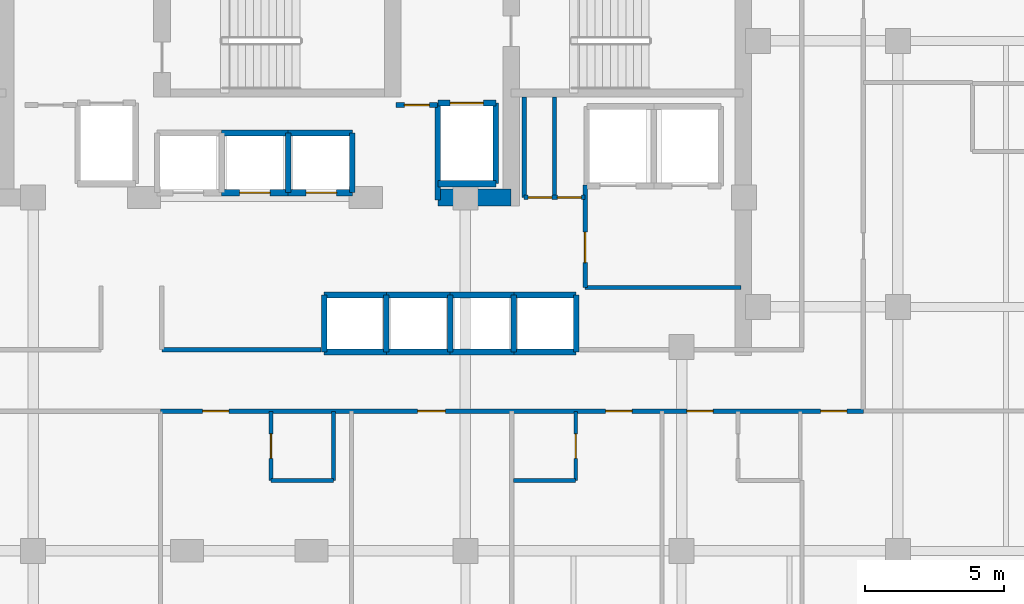
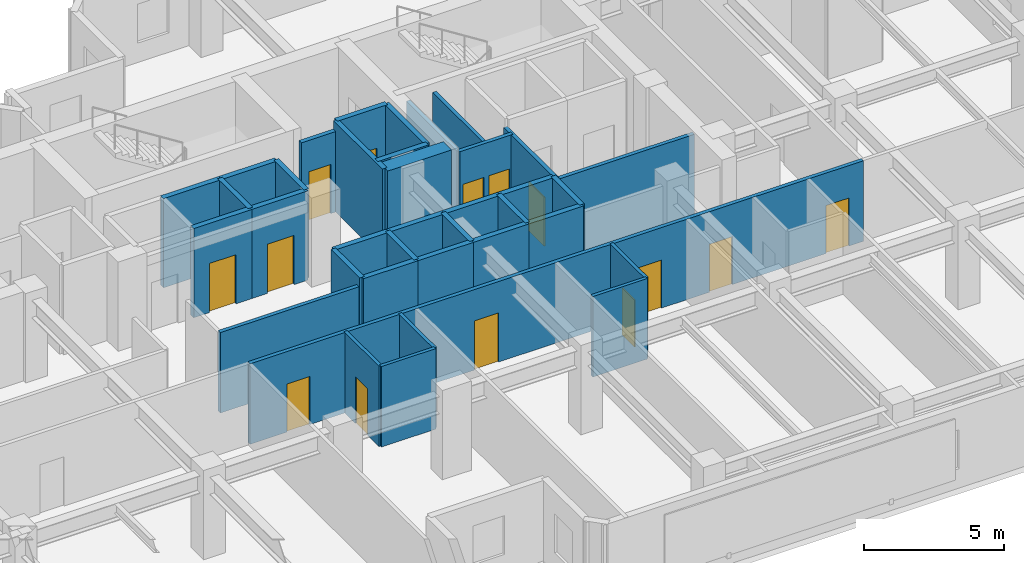
# One storey, part 6 of 10: 37 walls, 14 doors, 14 openings.
"""IFC4 building model written with IfcOpenShell, lengths in metres."""

from ifc_helpers import new_model, si_unit, direction, frame, frame_2d, origin, place, context, subcontext, project, spatial, rectangle, extrude, material, layer, layer_set, type_object, element, fill, save


model = new_model("IFC4")

# Units and contexts
model_context = context("Model", 3, precision=1e-05, world=origin(), true_north=direction((0.0, 1.0)))
body_context = subcontext(model_context, "Body", "Model", "MODEL_VIEW")
ifc_project = project(units=[si_unit("LENGTHUNIT", "METRE"), si_unit("AREAUNIT", "SQUARE_METRE"), si_unit("VOLUMEUNIT", "CUBIC_METRE"), si_unit("PLANEANGLEUNIT", "RADIAN"), si_unit("MASSUNIT", "GRAM", prefix="KILO")], contexts=[model_context])

# Site, building, storey
site_placement = place(None, origin())
site = spatial("IfcSite", under=ifc_project, at=site_placement, CompositionType="ELEMENT")
building_placement = place(site_placement, origin())
building = spatial("IfcBuilding", under=site, at=building_placement, Name="Kestravale Grand Hotel", CompositionType="ELEMENT")
storey_placement = place(building_placement, frame((0.0, 0.0, 236.5)))
storey = spatial("IfcBuildingStorey", under=building, at=storey_placement, Name="L59", CompositionType="ELEMENT", Elevation=236.5)

# Wall
ifc_material_1 = material(Name="Concrete f'c 50 MPa", Category="concrete")
ifc_layer_1 = layer(ifc_material_1, 0.60009765625)
ifc_layer_set_1 = layer_set([ifc_layer_1], Name="EW-CORE-600")
wall_type_1 = type_object("IfcWallType", Name="EW-CORE-600", PredefinedType="SHEAR", material=ifc_layer_set_1)
wall_1_placement = place(storey_placement, frame((45.81005859375, 32.75, 0.0), z_axis=(0.0, 0.0, 1.0), x_axis=(1.0, 0.0, 0.0)))
element("IfcWall", 1, at=wall_1_placement, inside=storey, type_object=wall_type_1, Name="L59 core shear wall S2", PredefinedType="SHEAR", context=body_context, shape_type="SweptSolid", body=[
    extrude(rectangle(XDim=2.639892578125, YDim=0.60009765625, at=frame_2d((1.31982421875, 0.0))), origin(), (0.0, 0.0, 1.0), 3.89990234375),
])

# Wall, opening, door
ifc_material_2 = material(Name="Acoustic fire-rated gypsum board partition", Category="other")
ifc_layer_2 = layer(ifc_material_2, 0.159912109375)
ifc_layer_set_2 = layer_set([ifc_layer_2], Name="IW-CORR-160")
wall_type_2 = type_object("IfcWallType", Name="IW-CORR-160", PredefinedType="PARTITIONING", material=ifc_layer_set_2)
wall_2_placement = place(storey_placement, frame((51.1201171875, 29.5, 0.0), z_axis=(0.0, 0.0, 1.0), x_axis=(0.0, 1.0, 0.0)))
wall_2 = element("IfcWall", 2, at=wall_2_placement, inside=storey, type_object=wall_type_2, Name="W-L59-SVCLOB-W", PredefinedType="PARTITIONING", context=body_context, shape_type="SweptSolid", body=[
    extrude(rectangle(XDim=3.699951171875, YDim=0.159912109375, at=frame_2d((1.85009765625, 0.0))), origin(), (0.0, 0.0, 1.0), 3.52001953125),
])
opening_1_placement = place(wall_2_placement, frame((0.89990234375, 0.0, 0.0)))
opening_1 = element("IfcOpeningElement", 3, at=opening_1_placement, cuts=wall_2, Name="Opening D-CORR-1100", PredefinedType="OPENING", context=body_context, shape_type="SweptSolid", body=[
    extrude(rectangle(XDim=1.10009765625, YDim=2.14990234375, at=frame_2d((0.550048828125, 1.074951171875))), frame((0.0, 0.08984375, 0.0), z_axis=(0.0, -1.0, 0.0), x_axis=(1.0, 0.0, 0.0)), (0.0, 0.0, 1.0), 0.179931640625),
])
ifc_material_3 = material(Name="Single-leaf service vestibule fire door", Category="steel")
door_type_1 = type_object("IfcDoorType", Name="D-CORR-1100", OperationType="NOTDEFINED", PredefinedType="DOOR", material=ifc_material_3)
door_1_placement = place(opening_1_placement, origin())
door_1 = element("IfcDoor", 4, at=door_1_placement, inside=storey, type_object=door_type_1, Name="L59 service lift lobby door", OperationType="SINGLE_SWING_LEFT", OverallHeight=2.14990234375, OverallWidth=1.10009765625, PredefinedType="DOOR", context=body_context, shape_type="SweptSolid", body=[
    extrude(rectangle(XDim=1.10009765625, YDim=2.14990234375, at=frame_2d((0.550048828125, 1.074951171875))), frame((0.0, 0.02490234375, 0.0), z_axis=(0.0, -1.0, 0.0), x_axis=(1.0, 0.0, 0.0)), (0.0, 0.0, 1.0), 0.050048828125),
])
fill(opening_1, door_1)

# Wall
wall_3_placement = place(storey_placement, frame((51.1201171875, 29.5, 0.0), z_axis=(0.0, 0.0, 1.0), x_axis=(1.0, 0.0, 0.0)))
element("IfcWall", 5, at=wall_3_placement, inside=storey, type_object=wall_type_2, Name="L59 service lift lobby wall", PredefinedType="PARTITIONING", context=body_context, shape_type="SweptSolid", body=[
    extrude(rectangle(XDim=5.6298828125, YDim=0.159912109375, at=frame_2d((2.81494140625, 0.0))), origin(), (0.0, 0.0, 1.0), 3.52001953125),
])

# Wall, openings, doors
wall_4_placement = place(storey_placement, frame((48.919921875, 32.75, 0.0), z_axis=(0.0, 0.0, 1.0), x_axis=(1.0, 0.0, 0.0)))
wall_4 = element("IfcWall", 6, at=wall_4_placement, inside=storey, type_object=wall_type_2, Name="W-L59-CES", PredefinedType="PARTITIONING", context=body_context, shape_type="SweptSolid", body=[
    extrude(rectangle(XDim=2.2001953125, YDim=0.159912109375, at=frame_2d((1.10009765625, 0.0))), origin(), (0.0, 0.0, 1.0), 3.52001953125),
])
opening_2_placement = place(wall_4_placement, frame((0.139892578125, 0.0, 0.0)))
opening_2 = element("IfcOpeningElement", 7, at=opening_2_placement, cuts=wall_4, Name="Opening D-SH-860", PredefinedType="OPENING", context=body_context, shape_type="SweptSolid", body=[
    extrude(rectangle(XDim=0.860107421875, YDim=2.050048828125, at=frame_2d((0.43017578125, 1.02490234375))), frame((0.0, 0.08984375, 0.0), z_axis=(0.0, -1.0, 0.0), x_axis=(1.0, 0.0, 0.0)), (0.0, 0.0, 1.0), 0.179931640625),
])
opening_3_placement = place(wall_4_placement, frame((1.199951171875, 0.0, 0.0)))
opening_3 = element("IfcOpeningElement", 8, at=opening_3_placement, cuts=wall_4, Name="Opening D-SH-860", PredefinedType="OPENING", context=body_context, shape_type="SweptSolid", body=[
    extrude(rectangle(XDim=0.860107421875, YDim=2.050048828125, at=frame_2d((0.43017578125, 1.02490234375))), frame((0.0, 0.08984375, 0.0), z_axis=(0.0, -1.0, 0.0), x_axis=(1.0, 0.0, 0.0)), (0.0, 0.0, 1.0), 0.179931640625),
])
ifc_material_4 = material(Name="Galvanised 90-minute riser fire door", Category="steel")
door_type_2 = type_object("IfcDoorType", Name="D-SH-860", OperationType="NOTDEFINED", PredefinedType="DOOR", material=ifc_material_4)
door_2_placement = place(opening_2_placement, origin())
door_2 = element("IfcDoor", 9, at=door_2_placement, inside=storey, type_object=door_type_2, Name="L59 CSTO1 door", OperationType="SINGLE_SWING_LEFT", OverallHeight=2.050048828125, OverallWidth=0.860107421875, PredefinedType="DOOR", context=body_context, shape_type="SweptSolid", body=[
    extrude(rectangle(XDim=0.860107421875, YDim=2.050048828125, at=frame_2d((0.43017578125, 1.02490234375))), frame((0.0, 0.02490234375, 0.0), z_axis=(0.0, -1.0, 0.0), x_axis=(1.0, 0.0, 0.0)), (0.0, 0.0, 1.0), 0.050048828125),
])
fill(opening_2, door_2)
door_3_placement = place(opening_3_placement, origin())
door_3 = element("IfcDoor", 10, at=door_3_placement, inside=storey, type_object=door_type_2, Name="L59 CSTO2 door", OperationType="SINGLE_SWING_RIGHT", OverallHeight=2.050048828125, OverallWidth=0.860107421875, PredefinedType="DOOR", context=body_context, shape_type="SweptSolid", body=[
    extrude(rectangle(XDim=0.860107421875, YDim=2.050048828125, at=frame_2d((0.43017578125, 1.02490234375))), frame((0.0, 0.02490234375, 0.0), z_axis=(0.0, -1.0, 0.0), x_axis=(1.0, 0.0, 0.0)), (0.0, 0.0, 1.0), 0.050048828125),
])
fill(opening_3, door_3)

# Wall
wall_5_placement = place(storey_placement, frame((35.85009765625, 27.260009765625, 0.0), z_axis=(0.0, 0.0, 1.0), x_axis=(1.0, 0.0, 0.0)))
element("IfcWall", 11, at=wall_5_placement, inside=storey, type_object=wall_type_2, Name="W-L59-CE-N", PredefinedType="PARTITIONING", context=body_context, shape_type="SweptSolid", body=[
    extrude(rectangle(XDim=5.72998046875, YDim=0.159912109375, at=frame_2d((2.864990234375, 0.0))), origin(), (0.0, 0.0, 1.0), 3.52001953125),
])

# Wall, openings, doors
wall_6_placement = place(storey_placement, frame((35.800048828125, 25.0400390625, 0.0), z_axis=(0.0, 0.0, 1.0), x_axis=(1.0, 0.0, 0.0)))
wall_6 = element("IfcWall", 12, at=wall_6_placement, inside=storey, type_object=wall_type_2, Name="W-L59-CE-S", PredefinedType="PARTITIONING", context=body_context, shape_type="SweptSolid", body=[
    extrude(rectangle(XDim=25.35986328125, YDim=0.159912109375, at=frame_2d((12.679931640625, 0.0))), origin(), (0.0, 0.0, 1.0), 3.52001953125),
])
opening_4_placement = place(wall_6_placement, frame((1.517578125, 0.0, 0.0)))
opening_4 = element("IfcOpeningElement", 13, at=opening_4_placement, cuts=wall_6, Name="Opening D-GUEST-950", PredefinedType="OPENING", context=body_context, shape_type="SweptSolid", body=[
    extrude(rectangle(XDim=0.949951171875, YDim=2.10009765625, at=frame_2d((0.47509765625, 1.050048828125))), frame((0.0, 0.08984375, 0.0), z_axis=(0.0, -1.0, 0.0), x_axis=(1.0, 0.0, 0.0)), (0.0, 0.0, 1.0), 0.179931640625),
])
opening_5_placement = place(wall_6_placement, frame((9.277587890625, 0.0, 0.0)))
opening_5 = element("IfcOpeningElement", 14, at=opening_5_placement, cuts=wall_6, Name="Opening D-GUEST-1000", PredefinedType="OPENING", context=body_context, shape_type="SweptSolid", body=[
    extrude(rectangle(XDim=1.0, YDim=2.14990234375, at=frame_2d((0.5, 1.074951171875))), frame((0.0, 0.08984375, 0.0), z_axis=(0.0, -1.0, 0.0), x_axis=(1.0, 0.0, 0.0)), (0.0, 0.0, 1.0), 0.179931640625),
])
opening_6_placement = place(wall_6_placement, frame((16.06005859375, 0.0, 0.0)))
opening_6 = element("IfcOpeningElement", 15, at=opening_6_placement, cuts=wall_6, Name="Opening D-GUEST-950", PredefinedType="OPENING", context=body_context, shape_type="SweptSolid", body=[
    extrude(rectangle(XDim=0.949951171875, YDim=2.10009765625, at=frame_2d((0.47509765625, 1.050048828125))), frame((0.0, 0.08984375, 0.0), z_axis=(0.0, -1.0, 0.0), x_axis=(1.0, 0.0, 0.0)), (0.0, 0.0, 1.0), 0.179931640625),
])
opening_7_placement = place(wall_6_placement, frame((18.985107421875, 0.0, 0.0)))
opening_7 = element("IfcOpeningElement", 16, at=opening_7_placement, cuts=wall_6, Name="Opening D-GUEST-950", PredefinedType="OPENING", context=body_context, shape_type="SweptSolid", body=[
    extrude(rectangle(XDim=0.949951171875, YDim=2.10009765625, at=frame_2d((0.47509765625, 1.050048828125))), frame((0.0, 0.08984375, 0.0), z_axis=(0.0, -1.0, 0.0), x_axis=(1.0, 0.0, 0.0)), (0.0, 0.0, 1.0), 0.179931640625),
])
opening_8_placement = place(wall_6_placement, frame((23.81494140625, 0.0, 0.0)))
opening_8 = element("IfcOpeningElement", 17, at=opening_8_placement, cuts=wall_6, Name="Opening D-GUEST-950", PredefinedType="OPENING", context=body_context, shape_type="SweptSolid", body=[
    extrude(rectangle(XDim=0.949951171875, YDim=2.10009765625, at=frame_2d((0.47509765625, 1.050048828125))), frame((0.0, 0.08984375, 0.0), z_axis=(0.0, -1.0, 0.0), x_axis=(1.0, 0.0, 0.0)), (0.0, 0.0, 1.0), 0.179931640625),
])
ifc_material_5 = material(Name="Accessible walnut veneer hotel entrance fire door", Category="wood")
door_type_3 = type_object("IfcDoorType", Name="D-GUEST-1000", OperationType="NOTDEFINED", PredefinedType="DOOR", material=ifc_material_5)
door_4_placement = place(opening_5_placement, origin())
door_4 = element("IfcDoor", 18, at=door_4_placement, inside=storey, type_object=door_type_3, Name="D-L59-AME", OperationType="SINGLE_SWING_LEFT", OverallHeight=2.14990234375, OverallWidth=1.0, PredefinedType="DOOR", context=body_context, shape_type="SweptSolid", body=[
    extrude(rectangle(XDim=1.0, YDim=2.14990234375, at=frame_2d((0.5, 1.074951171875))), frame((0.0, 0.02490234375, 0.0), z_axis=(0.0, -1.0, 0.0), x_axis=(1.0, 0.0, 0.0)), (0.0, 0.0, 1.0), 0.050048828125),
])
fill(opening_5, door_4)
ifc_material_6 = material(Name="Walnut veneer hotel guestroom entrance fire door", Category="wood")
door_type_4 = type_object("IfcDoorType", Name="D-GUEST-950", OperationType="NOTDEFINED", PredefinedType="DOOR", material=ifc_material_6)
door_5_placement = place(opening_4_placement, origin())
door_5 = element("IfcDoor", 19, at=door_5_placement, inside=storey, type_object=door_type_4, Name="D-L59-U01-ENT", OperationType="SINGLE_SWING_RIGHT", OverallHeight=2.10009765625, OverallWidth=0.949951171875, PredefinedType="DOOR", context=body_context, shape_type="SweptSolid", body=[
    extrude(rectangle(XDim=0.949951171875, YDim=2.10009765625, at=frame_2d((0.47509765625, 1.050048828125))), frame((0.0, 0.02490234375, 0.0), z_axis=(0.0, -1.0, 0.0), x_axis=(1.0, 0.0, 0.0)), (0.0, 0.0, 1.0), 0.050048828125),
])
fill(opening_4, door_5)
door_6_placement = place(opening_6_placement, origin())
door_6 = element("IfcDoor", 20, at=door_6_placement, inside=storey, type_object=door_type_4, Name="D-L59-U02-ENT", OperationType="SINGLE_SWING_LEFT", OverallHeight=2.10009765625, OverallWidth=0.949951171875, PredefinedType="DOOR", context=body_context, shape_type="SweptSolid", body=[
    extrude(rectangle(XDim=0.949951171875, YDim=2.10009765625, at=frame_2d((0.47509765625, 1.050048828125))), frame((0.0, 0.02490234375, 0.0), z_axis=(0.0, -1.0, 0.0), x_axis=(1.0, 0.0, 0.0)), (0.0, 0.0, 1.0), 0.050048828125),
])
fill(opening_6, door_6)
door_7_placement = place(opening_7_placement, origin())
door_7 = element("IfcDoor", 21, at=door_7_placement, inside=storey, type_object=door_type_4, Name="D-L59-U03-ENT", OperationType="SINGLE_SWING_LEFT", OverallHeight=2.10009765625, OverallWidth=0.949951171875, PredefinedType="DOOR", context=body_context, shape_type="SweptSolid", body=[
    extrude(rectangle(XDim=0.949951171875, YDim=2.10009765625, at=frame_2d((0.47509765625, 1.050048828125))), frame((0.0, 0.02490234375, 0.0), z_axis=(0.0, -1.0, 0.0), x_axis=(1.0, 0.0, 0.0)), (0.0, 0.0, 1.0), 0.050048828125),
])
fill(opening_7, door_7)
door_8_placement = place(opening_8_placement, origin())
door_8 = element("IfcDoor", 22, at=door_8_placement, inside=storey, type_object=door_type_4, Name="D-L59-U08-ENT", OperationType="SINGLE_SWING_RIGHT", OverallHeight=2.10009765625, OverallWidth=0.949951171875, PredefinedType="DOOR", context=body_context, shape_type="SweptSolid", body=[
    extrude(rectangle(XDim=0.949951171875, YDim=2.10009765625, at=frame_2d((0.47509765625, 1.050048828125))), frame((0.0, 0.02490234375, 0.0), z_axis=(0.0, -1.0, 0.0), x_axis=(1.0, 0.0, 0.0)), (0.0, 0.0, 1.0), 0.050048828125),
])
fill(opening_8, door_8)

# Wall, opening, door
ifc_material_7 = material(Name="Fire-rated gypsum board on steel studs with mineral wool", Category="steel")
ifc_layer_3 = layer(ifc_material_7, 0.179931640625)
ifc_layer_set_3 = layer_set([ifc_layer_3], Name="IW-FSAE-180")
wall_type_3 = type_object("IfcWallType", Name="IW-FSAE-180", PredefinedType="PARTITIONING", material=ifc_layer_set_3)
wall_7_placement = place(storey_placement, frame((44.300048828125, 36.080078125, 0.0), z_axis=(0.0, 0.0, 1.0), x_axis=(1.0, 0.0, 0.0)))
wall_7 = element("IfcWall", 23, at=wall_7_placement, inside=storey, type_object=wall_type_3, Name="L59 FSAE Lobby 2 smoke barrier", PredefinedType="PARTITIONING", context=body_context, shape_type="SweptSolid", body=[
    extrude(rectangle(XDim=1.5, YDim=0.179931640625, at=frame_2d((0.75, 0.0))), origin(), (0.0, 0.0, 1.0), 3.52001953125),
])
opening_9_placement = place(wall_7_placement, frame((0.300048828125, 0.0, 0.0)))
opening_9 = element("IfcOpeningElement", 24, at=opening_9_placement, cuts=wall_7, Name="Opening D-FSAE-1000", PredefinedType="OPENING", context=body_context, shape_type="SweptSolid", body=[
    extrude(rectangle(XDim=0.89990234375, YDim=2.14990234375, at=frame_2d((0.449951171875, 1.074951171875))), frame((0.0, 0.099853515625, 0.0), z_axis=(0.0, -1.0, 0.0), x_axis=(1.0, 0.0, 0.0)), (0.0, 0.0, 1.0), 0.199951171875),
])
ifc_material_8 = material(Name="Smoke-gasketed FSAE lobby fire door", Category="steel")
door_type_5 = type_object("IfcDoorType", Name="D-FSAE-1000", OperationType="NOTDEFINED", PredefinedType="DOOR", material=ifc_material_8)
door_9_placement = place(opening_9_placement, origin())
door_9 = element("IfcDoor", 25, at=door_9_placement, inside=storey, type_object=door_type_5, Name="L59 FSAE Lobby 2 fire door", OperationType="SINGLE_SWING_LEFT", OverallHeight=2.14990234375, OverallWidth=0.89990234375, PredefinedType="DOOR", context=body_context, shape_type="SweptSolid", body=[
    extrude(rectangle(XDim=0.89990234375, YDim=2.14990234375, at=frame_2d((0.449951171875, 1.074951171875))), frame((0.0, 0.02490234375, 0.0), z_axis=(0.0, -1.0, 0.0), x_axis=(1.0, 0.0, 0.0)), (0.0, 0.0, 1.0), 0.050048828125),
])
fill(opening_9, door_9)

ifc_material_9 = material(Name="Moisture-resistant tile-backer plumbing chase wall", Category="other")
ifc_layer_4 = layer(ifc_material_9, 0.139892578125)
ifc_layer_set_4 = layer_set([ifc_layer_4], Name="IW-PLB-140")
wall_type_4 = type_object("IfcWallType", Name="IW-PLB-140", PredefinedType="PLUMBINGWALL", material=ifc_layer_set_4)
wall_8_placement = place(storey_placement, frame((39.784912109375, 22.530029296875, 0.0), z_axis=(0.0, 0.0, 1.0), x_axis=(0.0, 1.0, 0.0)))
wall_8 = element("IfcWall", 26, at=wall_8_placement, inside=storey, type_object=wall_type_4, Name="W-L59-U01-BW", PredefinedType="PLUMBINGWALL", context=body_context, shape_type="SweptSolid", body=[
    extrude(rectangle(XDim=2.489990234375, YDim=0.139892578125, at=frame_2d((1.2451171875, 0.0))), origin(), (0.0, 0.0, 1.0), 3.52001953125),
])
opening_10_placement = place(wall_8_placement, frame((0.804931640625, 0.0, 0.0)))
opening_10 = element("IfcOpeningElement", 27, at=opening_10_placement, cuts=wall_8, Name="Opening D-BATH-880", PredefinedType="OPENING", context=body_context, shape_type="SweptSolid", body=[
    extrude(rectangle(XDim=0.8798828125, YDim=2.050048828125, at=frame_2d((0.43994140625, 1.02490234375))), frame((0.0, 0.079833984375, 0.0), z_axis=(0.0, -1.0, 0.0), x_axis=(1.0, 0.0, 0.0)), (0.0, 0.0, 1.0), 0.159912109375),
])
ifc_material_10 = material(Name="Moisture-sealed walnut en-suite bathroom door", Category="wood")
door_type_6 = type_object("IfcDoorType", Name="D-BATH-880", OperationType="NOTDEFINED", PredefinedType="DOOR", material=ifc_material_10)
door_10_placement = place(opening_10_placement, origin())
door_10 = element("IfcDoor", 28, at=door_10_placement, inside=storey, type_object=door_type_6, Name="D-L59-U01-BATH", OperationType="SINGLE_SWING_LEFT", OverallHeight=2.050048828125, OverallWidth=0.8798828125, PredefinedType="DOOR", context=body_context, shape_type="SweptSolid", body=[
    extrude(rectangle(XDim=0.8798828125, YDim=2.050048828125, at=frame_2d((0.43994140625, 1.02490234375))), frame((0.0, 0.02490234375, 0.0), z_axis=(0.0, -1.0, 0.0), x_axis=(1.0, 0.0, 0.0)), (0.0, 0.0, 1.0), 0.050048828125),
])
fill(opening_10, door_10)

# Walls
wall_9_placement = place(storey_placement, frame((42.034912109375, 22.530029296875, 0.0), z_axis=(0.0, 0.0, 1.0), x_axis=(0.0, 1.0, 0.0)))
element("IfcWall", 29, at=wall_9_placement, inside=storey, type_object=wall_type_4, Name="W-L59-U01-BE", PredefinedType="PLUMBINGWALL", context=body_context, shape_type="SweptSolid", body=[
    extrude(rectangle(XDim=2.489990234375, YDim=0.139892578125, at=frame_2d((1.2451171875, 0.0))), origin(), (0.0, 0.0, 1.0), 3.52001953125),
])
wall_10_placement = place(storey_placement, frame((39.784912109375, 22.530029296875, 0.0), z_axis=(0.0, 0.0, 1.0), x_axis=(1.0, 0.0, 0.0)))
element("IfcWall", 30, at=wall_10_placement, inside=storey, type_object=wall_type_4, Name="W-L59-U01-BS", PredefinedType="PLUMBINGWALL", context=body_context, shape_type="SweptSolid", body=[
    extrude(rectangle(XDim=2.25, YDim=0.139892578125, at=frame_2d((1.125, 0.0))), origin(), (0.0, 0.0, 1.0), 3.52001953125),
])

# Wall, opening, door
wall_11_placement = place(storey_placement, frame((50.780029296875, 22.530029296875, 0.0), z_axis=(0.0, 0.0, 1.0), x_axis=(0.0, 1.0, 0.0)))
wall_11 = element("IfcWall", 31, at=wall_11_placement, inside=storey, type_object=wall_type_4, Name="W-L59-U02-BE", PredefinedType="PLUMBINGWALL", context=body_context, shape_type="SweptSolid", body=[
    extrude(rectangle(XDim=2.489990234375, YDim=0.139892578125, at=frame_2d((1.2451171875, 0.0))), origin(), (0.0, 0.0, 1.0), 3.52001953125),
])
opening_11_placement = place(wall_11_placement, frame((0.804931640625, 0.0, 0.0)))
opening_11 = element("IfcOpeningElement", 32, at=opening_11_placement, cuts=wall_11, Name="Opening D-BATH-880", PredefinedType="OPENING", context=body_context, shape_type="SweptSolid", body=[
    extrude(rectangle(XDim=0.8798828125, YDim=2.050048828125, at=frame_2d((0.43994140625, 1.02490234375))), frame((0.0, 0.079833984375, 0.0), z_axis=(0.0, -1.0, 0.0), x_axis=(1.0, 0.0, 0.0)), (0.0, 0.0, 1.0), 0.159912109375),
])
door_11_placement = place(opening_11_placement, origin())
door_11 = element("IfcDoor", 33, at=door_11_placement, inside=storey, type_object=door_type_6, Name="D-L59-U02-BATH", OperationType="SINGLE_SWING_RIGHT", OverallHeight=2.050048828125, OverallWidth=0.8798828125, PredefinedType="DOOR", context=body_context, shape_type="SweptSolid", body=[
    extrude(rectangle(XDim=0.8798828125, YDim=2.050048828125, at=frame_2d((0.43994140625, 1.02490234375))), frame((0.0, 0.02490234375, 0.0), z_axis=(0.0, -1.0, 0.0), x_axis=(1.0, 0.0, 0.0)), (0.0, 0.0, 1.0), 0.050048828125),
])
fill(opening_11, door_11)

# Walls
wall_12_placement = place(storey_placement, frame((48.530029296875, 22.530029296875, 0.0), z_axis=(0.0, 0.0, 1.0), x_axis=(1.0, 0.0, 0.0)))
element("IfcWall", 34, at=wall_12_placement, inside=storey, type_object=wall_type_4, Name="W-L59-U02-BS", PredefinedType="PLUMBINGWALL", context=body_context, shape_type="SweptSolid", body=[
    extrude(rectangle(XDim=2.25, YDim=0.139892578125, at=frame_2d((1.125, 0.0))), origin(), (0.0, 0.0, 1.0), 3.52001953125),
])
ifc_material_11 = material(Name="Concrete f'c 45 MPa", Category="concrete")
ifc_layer_5 = layer(ifc_material_11, 0.199951171875)
ifc_layer_set_5 = layer_set([ifc_layer_5], Name="IW-SHAFT-200")
wall_type_5 = type_object("IfcWallType", Name="IW-SHAFT-200", PredefinedType="SHEAR", material=ifc_layer_set_5)
for number, where, z_axis, x_axis, name in (
    (35, (41.705078125, 27.169921875, 0.0), (0.0, 0.0, 1.0), (0.0, 1.0, 0.0), "L59 PL-M1 west shaft wall"),
    (36, (43.949951171875, 27.169921875, 0.0), (0.0, 0.0, 1.0), (0.0, 1.0, 0.0), "L59 PL-M2 west shaft wall"),
    (37, (46.25, 27.169921875, 0.0), (0.0, 0.0, 1.0), (0.0, 1.0, 0.0), "L59 PL-M3 west shaft wall"),
    (38, (48.550048828125, 27.169921875, 0.0), (0.0, 0.0, 1.0), (0.0, 1.0, 0.0), "L59 PL-M4 west shaft wall"),
    (39, (50.794921875, 27.169921875, 0.0), (0.0, 0.0, 1.0), (0.0, 1.0, 0.0), "L59 PL-M4 east shaft wall"),
):
    element("IfcWall", number, at=place(storey_placement, frame(where, z_axis=z_axis, x_axis=x_axis)), inside=storey, type_object=wall_type_5, Name=name, PredefinedType="SHEAR", context=body_context, shape_type="SweptSolid", body=[
        extrude(rectangle(XDim=2.06005859375, YDim=0.199951171875, at=frame_2d((1.030029296875, 0.0))), origin(), (0.0, 0.0, 1.0), 3.89990234375),
    ])
for number, where, z_axis, x_axis, name in (
    (40, (40.39990234375, 32.919921875, 0.0), (0.0, 0.0, 1.0), (0.0, 1.0, 0.0), "L59 PL-X3 west shaft wall"),
    (41, (42.719970703125, 32.919921875, 0.0), (0.0, 0.0, 1.0), (0.0, 1.0, 0.0), "L59 PL-X3 east shaft wall"),
):
    element("IfcWall", number, at=place(storey_placement, frame(where, z_axis=z_axis, x_axis=x_axis)), inside=storey, type_object=wall_type_5, Name=name, PredefinedType="SHEAR", context=body_context, shape_type="SweptSolid", body=[
        extrude(rectangle(XDim=2.16015625, YDim=0.199951171875, at=frame_2d((1.080078125, 0.0))), origin(), (0.0, 0.0, 1.0), 3.89990234375),
    ])
wall_13_placement = place(storey_placement, frame((45.804931640625, 32.64990234375, 0.0), z_axis=(0.0, 0.0, 1.0), x_axis=(0.0, 1.0, 0.0)))
element("IfcWall", 42, at=wall_13_placement, inside=storey, type_object=wall_type_5, Name="L59 FL-2 west shaft wall", PredefinedType="SHEAR", context=body_context, shape_type="SweptSolid", body=[
    extrude(rectangle(XDim=3.505126953125, YDim=0.199951171875, at=frame_2d((1.75244140625, 0.0))), origin(), (0.0, 0.0, 1.0), 3.89990234375),
])
wall_14_placement = place(storey_placement, frame((47.89501953125, 33.2451171875, 0.0), z_axis=(0.0, 0.0, 1.0), x_axis=(0.0, 1.0, 0.0)))
element("IfcWall", 43, at=wall_14_placement, inside=storey, type_object=wall_type_5, Name="L59 FL-2 east shaft wall", PredefinedType="SHEAR", context=body_context, shape_type="SweptSolid", body=[
    extrude(rectangle(XDim=2.909912109375, YDim=0.199951171875, at=frame_2d((1.455078125, 0.0))), origin(), (0.0, 0.0, 1.0), 3.89990234375),
])
ifc_material_12 = material(Name="Concrete f'c 45 MPa", Category="concrete")
ifc_layer_6 = layer(ifc_material_12, 0.219970703125)
ifc_layer_set_6 = layer_set([ifc_layer_6], Name="IW-SHAFT-220")
wall_type_6 = type_object("IfcWallType", Name="IW-SHAFT-220", PredefinedType="SHEAR", material=ifc_layer_set_6)
for number, where, z_axis, x_axis, name in (
    (44, (41.705078125, 29.22998046875, 0.0), (0.0, 0.0, 1.0), (1.0, 0.0, 0.0), "L59 PL-M1 north shaft wall"),
    (45, (41.705078125, 27.169921875, 0.0), (0.0, 0.0, 1.0), (1.0, 0.0, 0.0), "L59 PL-M1 south shaft wall"),
):
    element("IfcWall", number, at=place(storey_placement, frame(where, z_axis=z_axis, x_axis=x_axis)), inside=storey, type_object=wall_type_6, Name=name, PredefinedType="SHEAR", context=body_context, shape_type="SweptSolid", body=[
        extrude(rectangle(XDim=2.244873046875, YDim=0.219970703125, at=frame_2d((1.12255859375, 0.0))), origin(), (0.0, 0.0, 1.0), 3.89990234375),
    ])
for number, where, z_axis, x_axis, name in (
    (46, (43.949951171875, 29.22998046875, 0.0), (0.0, 0.0, 1.0), (1.0, 0.0, 0.0), "L59 PL-M2 north shaft wall"),
    (47, (43.949951171875, 27.169921875, 0.0), (0.0, 0.0, 1.0), (1.0, 0.0, 0.0), "L59 PL-M2 south shaft wall"),
    (48, (46.25, 29.22998046875, 0.0), (0.0, 0.0, 1.0), (1.0, 0.0, 0.0), "L59 PL-M3 north shaft wall"),
    (49, (46.25, 27.169921875, 0.0), (0.0, 0.0, 1.0), (1.0, 0.0, 0.0), "L59 PL-M3 south shaft wall"),
):
    element("IfcWall", number, at=place(storey_placement, frame(where, z_axis=z_axis, x_axis=x_axis)), inside=storey, type_object=wall_type_6, Name=name, PredefinedType="SHEAR", context=body_context, shape_type="SweptSolid", body=[
        extrude(rectangle(XDim=2.300048828125, YDim=0.219970703125, at=frame_2d((1.14990234375, 0.0))), origin(), (0.0, 0.0, 1.0), 3.89990234375),
    ])
for number, where, z_axis, x_axis, name in (
    (50, (48.550048828125, 29.22998046875, 0.0), (0.0, 0.0, 1.0), (1.0, 0.0, 0.0), "L59 PL-M4 north shaft wall"),
    (51, (48.550048828125, 27.169921875, 0.0), (0.0, 0.0, 1.0), (1.0, 0.0, 0.0), "L59 PL-M4 south shaft wall"),
):
    element("IfcWall", number, at=place(storey_placement, frame(where, z_axis=z_axis, x_axis=x_axis)), inside=storey, type_object=wall_type_6, Name=name, PredefinedType="SHEAR", context=body_context, shape_type="SweptSolid", body=[
        extrude(rectangle(XDim=2.244873046875, YDim=0.219970703125, at=frame_2d((1.12255859375, 0.0))), origin(), (0.0, 0.0, 1.0), 3.89990234375),
    ])
wall_15_placement = place(storey_placement, frame((38.0, 35.080078125, 0.0), z_axis=(0.0, 0.0, 1.0), x_axis=(1.0, 0.0, 0.0)))
element("IfcWall", 52, at=wall_15_placement, inside=storey, type_object=wall_type_6, Name="L59 PL-X2 north shaft wall", PredefinedType="SHEAR", context=body_context, shape_type="SweptSolid", body=[
    extrude(rectangle(XDim=2.39990234375, YDim=0.219970703125, at=frame_2d((1.199951171875, 0.0))), origin(), (0.0, 0.0, 1.0), 3.89990234375),
])

# Wall, opening, door
wall_16_placement = place(storey_placement, frame((38.0, 32.919921875, 0.0), z_axis=(0.0, 0.0, 1.0), x_axis=(1.0, 0.0, 0.0)))
wall_16 = element("IfcWall", 53, at=wall_16_placement, inside=storey, type_object=wall_type_6, Name="L59 PL-X2 south shaft wall", PredefinedType="SHEAR", context=body_context, shape_type="SweptSolid", body=[
    extrude(rectangle(XDim=2.39990234375, YDim=0.219970703125, at=frame_2d((1.199951171875, 0.0))), origin(), (0.0, 0.0, 1.0), 3.89990234375),
])
opening_12_placement = place(wall_16_placement, frame((0.64990234375, 0.0, 0.0)))
opening_12 = element("IfcOpeningElement", 54, at=opening_12_placement, cuts=wall_16, Name="Opening LD-PAX-1100", PredefinedType="OPENING", context=body_context, shape_type="SweptSolid", body=[
    extrude(rectangle(XDim=1.10009765625, YDim=2.14990234375, at=frame_2d((0.550048828125, 1.074951171875))), frame((0.0, 0.119873046875, 0.0), z_axis=(0.0, -1.0, 0.0), x_axis=(1.0, 0.0, 0.0)), (0.0, 0.0, 1.0), 0.239990234375),
])
ifc_material_13 = material(Name="Champagne-bronze center-opening sliding elevator landing door", Category="steel")
door_type_7 = type_object("IfcDoorType", Name="LD-PAX-1100", OperationType="NOTDEFINED", PredefinedType="DOOR", material=ifc_material_13)
door_12_placement = place(opening_12_placement, origin())
door_12 = element("IfcDoor", 55, at=door_12_placement, inside=storey, type_object=door_type_7, Name="L59 PL-X2 elevator landing sliding door", OperationType="DOUBLE_DOOR_SLIDING", OverallHeight=2.14990234375, OverallWidth=1.10009765625, PredefinedType="DOOR", context=body_context, shape_type="SweptSolid", body=[
    extrude(rectangle(XDim=1.10009765625, YDim=2.14990234375, at=frame_2d((0.550048828125, 1.074951171875))), frame((0.0, 0.02490234375, 0.0), z_axis=(0.0, -1.0, 0.0), x_axis=(1.0, 0.0, 0.0)), (0.0, 0.0, 1.0), 0.050048828125),
])
fill(opening_12, door_12)

# Wall
wall_17_placement = place(storey_placement, frame((40.39990234375, 35.080078125, 0.0), z_axis=(0.0, 0.0, 1.0), x_axis=(1.0, 0.0, 0.0)))
element("IfcWall", 56, at=wall_17_placement, inside=storey, type_object=wall_type_6, Name="L59 PL-X3 north shaft wall", PredefinedType="SHEAR", context=body_context, shape_type="SweptSolid", body=[
    extrude(rectangle(XDim=2.320068359375, YDim=0.219970703125, at=frame_2d((1.16015625, 0.0))), origin(), (0.0, 0.0, 1.0), 3.89990234375),
])

# Wall, opening, door
wall_18_placement = place(storey_placement, frame((40.39990234375, 32.919921875, 0.0), z_axis=(0.0, 0.0, 1.0), x_axis=(1.0, 0.0, 0.0)))
wall_18 = element("IfcWall", 57, at=wall_18_placement, inside=storey, type_object=wall_type_6, Name="L59 PL-X3 south shaft wall", PredefinedType="SHEAR", context=body_context, shape_type="SweptSolid", body=[
    extrude(rectangle(XDim=2.320068359375, YDim=0.219970703125, at=frame_2d((1.16015625, 0.0))), origin(), (0.0, 0.0, 1.0), 3.89990234375),
])
opening_13_placement = place(wall_18_placement, frame((0.64990234375, 0.0, 0.0)))
opening_13 = element("IfcOpeningElement", 58, at=opening_13_placement, cuts=wall_18, Name="Opening LD-PAX-1100", PredefinedType="OPENING", context=body_context, shape_type="SweptSolid", body=[
    extrude(rectangle(XDim=1.10009765625, YDim=2.14990234375, at=frame_2d((0.550048828125, 1.074951171875))), frame((0.0, 0.119873046875, 0.0), z_axis=(0.0, -1.0, 0.0), x_axis=(1.0, 0.0, 0.0)), (0.0, 0.0, 1.0), 0.239990234375),
])
door_13_placement = place(opening_13_placement, origin())
door_13 = element("IfcDoor", 59, at=door_13_placement, inside=storey, type_object=door_type_7, Name="L59 PL-X3 elevator landing sliding door", OperationType="DOUBLE_DOOR_SLIDING", OverallHeight=2.14990234375, OverallWidth=1.10009765625, PredefinedType="DOOR", context=body_context, shape_type="SweptSolid", body=[
    extrude(rectangle(XDim=1.10009765625, YDim=2.14990234375, at=frame_2d((0.550048828125, 1.074951171875))), frame((0.0, 0.02490234375, 0.0), z_axis=(0.0, -1.0, 0.0), x_axis=(1.0, 0.0, 0.0)), (0.0, 0.0, 1.0), 0.050048828125),
])
fill(opening_13, door_13)

wall_19_placement = place(storey_placement, frame((45.804931640625, 36.155029296875, 0.0), z_axis=(0.0, 0.0, 1.0), x_axis=(1.0, 0.0, 0.0)))
wall_19 = element("IfcWall", 60, at=wall_19_placement, inside=storey, type_object=wall_type_6, Name="L59 FL-2 north shaft wall", PredefinedType="SHEAR", context=body_context, shape_type="SweptSolid", body=[
    extrude(rectangle(XDim=2.090087890625, YDim=0.219970703125, at=frame_2d((1.044921875, 0.0))), origin(), (0.0, 0.0, 1.0), 3.89990234375),
])
opening_14_placement = place(wall_19_placement, frame((0.445068359375, 0.0, 0.0)))
opening_14 = element("IfcOpeningElement", 61, at=opening_14_placement, cuts=wall_19, Name="Opening LD-FSAE-1200", PredefinedType="OPENING", context=body_context, shape_type="SweptSolid", body=[
    extrude(rectangle(XDim=1.199951171875, YDim=2.14990234375, at=frame_2d((0.60009765625, 1.074951171875))), frame((0.0, 0.119873046875, 0.0), z_axis=(0.0, -1.0, 0.0), x_axis=(1.0, 0.0, 0.0)), (0.0, 0.0, 1.0), 0.239990234375),
])
ifc_material_14 = material(Name="Stainless fire-service sliding elevator landing door", Category="steel")
door_type_8 = type_object("IfcDoorType", Name="LD-FSAE-1200", OperationType="NOTDEFINED", PredefinedType="DOOR", material=ifc_material_14)
door_14_placement = place(opening_14_placement, origin())
door_14 = element("IfcDoor", 62, at=door_14_placement, inside=storey, type_object=door_type_8, Name="L59 FL-2 elevator landing sliding door", OperationType="DOUBLE_DOOR_SLIDING", OverallHeight=2.14990234375, OverallWidth=1.199951171875, PredefinedType="DOOR", context=body_context, shape_type="SweptSolid", body=[
    extrude(rectangle(XDim=1.199951171875, YDim=2.14990234375, at=frame_2d((0.60009765625, 1.074951171875))), frame((0.0, 0.02490234375, 0.0), z_axis=(0.0, -1.0, 0.0), x_axis=(1.0, 0.0, 0.0)), (0.0, 0.0, 1.0), 0.050048828125),
])
fill(opening_14, door_14)

# Walls
wall_20_placement = place(storey_placement, frame((45.804931640625, 33.2451171875, 0.0), z_axis=(0.0, 0.0, 1.0), x_axis=(1.0, 0.0, 0.0)))
element("IfcWall", 63, at=wall_20_placement, inside=storey, type_object=wall_type_6, Name="L59 FL-2 south shaft wall", PredefinedType="SHEAR", context=body_context, shape_type="SweptSolid", body=[
    extrude(rectangle(XDim=2.090087890625, YDim=0.219970703125, at=frame_2d((1.044921875, 0.0))), origin(), (0.0, 0.0, 1.0), 3.89990234375),
])
ifc_material_15 = material(Name="Double-stud STC 52 acoustic demising partition", Category="other")
ifc_layer_7 = layer(ifc_material_15, 0.14990234375)
ifc_layer_set_7 = layer_set([ifc_layer_7], Name="IW-UNIT-150")
wall_type_7 = type_object("IfcWallType", Name="IW-UNIT-150", PredefinedType="PARTITIONING", material=ifc_layer_set_7)
for number, where, z_axis, x_axis, name in (
    (64, (48.919921875, 32.75, 0.0), (0.0, 0.0, 1.0), (0.0, 1.0, 0.0), "W-L59-CEW"),
    (65, (50.010009765625, 32.75, 0.0), (0.0, 0.0, 1.0), (0.0, 1.0, 0.0), "W-L59-CC1-EM"),
):
    element("IfcWall", number, at=place(storey_placement, frame(where, z_axis=z_axis, x_axis=x_axis)), inside=storey, type_object=wall_type_7, Name=name, PredefinedType="PARTITIONING", context=body_context, shape_type="SweptSolid", body=[
        extrude(rectangle(XDim=3.6201171875, YDim=0.14990234375, at=frame_2d((1.81005859375, 0.0))), origin(), (0.0, 0.0, 1.0), 3.52001953125),
    ])

save(model, "model.ifc")
